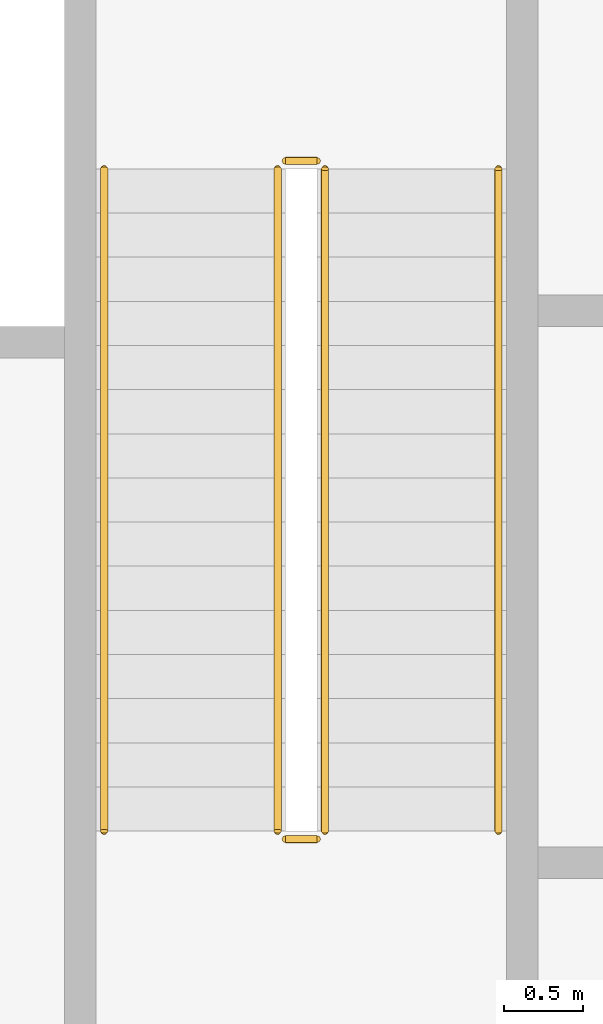
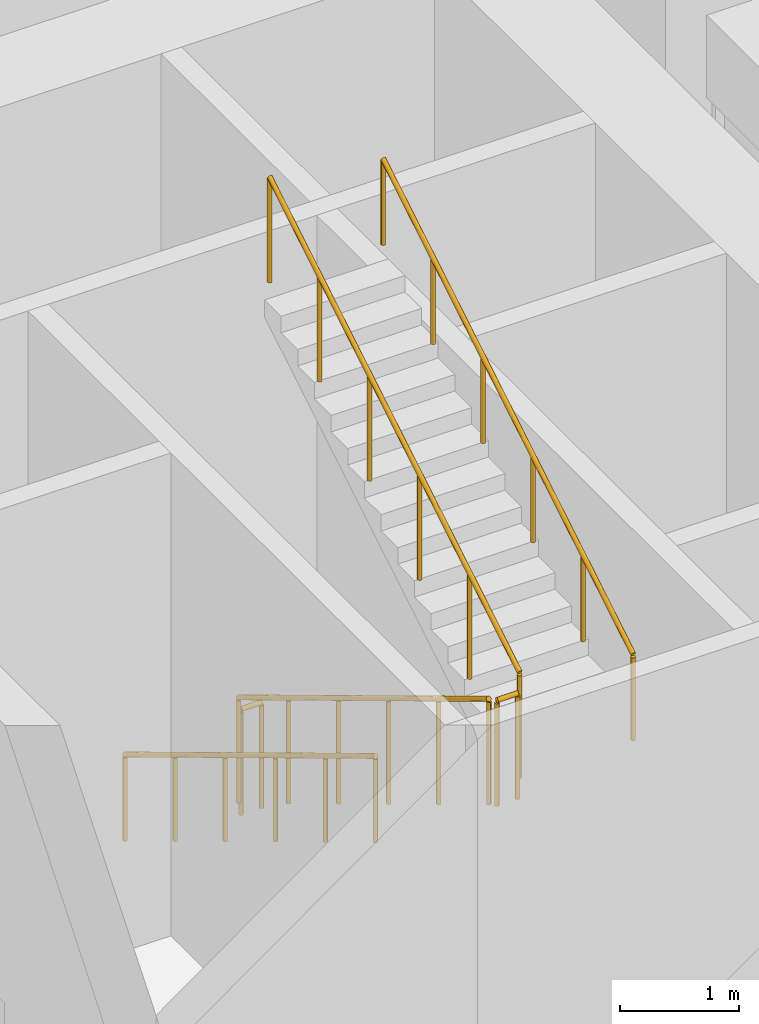
# One storey, part 26 of 27: 6 railings.
"""IFC4 building model written with IfcOpenShell, lengths in metres."""

from ifc_helpers import new_model, si_unit, direction, frame, origin, origin_2d, place, context, subcontext, project, spatial, circle, extrude, material, type_object, element, save


model = new_model("IFC4")

# Units and contexts
model_context = context("Model", 3, precision=1e-05, world=origin(), true_north=direction((0.0, 1.0)))
body_context = subcontext(model_context, "Body", "Model", "MODEL_VIEW")
ifc_project = project(units=[si_unit("LENGTHUNIT", "METRE"), si_unit("AREAUNIT", "SQUARE_METRE"), si_unit("VOLUMEUNIT", "CUBIC_METRE"), si_unit("PLANEANGLEUNIT", "RADIAN"), si_unit("MASSUNIT", "GRAM", prefix="KILO")], contexts=[model_context])

# Site, building, storey
site_placement = place(None, origin())
site = spatial("IfcSite", under=ifc_project, at=site_placement, CompositionType="ELEMENT")
building_placement = place(site_placement, origin())
building = spatial("IfcBuilding", under=site, at=building_placement, Name="Kiln Ring Residences", CompositionType="ELEMENT")
storey_placement = place(building_placement, frame((0.0, 0.0, 72.5)))
storey = spatial("IfcBuildingStorey", under=building, at=storey_placement, Name="L18", CompositionType="ELEMENT", Elevation=72.5)

# Railings
ifc_material_1 = material(Name="Stainless steel", Category="steel")
railing_type_1 = type_object("IfcRailingType", Name="CORE-STAIR-GUARD", PredefinedType="GUARDRAIL", material=ifc_material_1)
railing_1_placement = place(storey_placement, frame((21.949951171875, 8.39990234375, 0.168701171875)))
element("IfcRailing", 1, at=railing_1_placement, inside=storey, type_object=railing_type_1, Name="L18 E-STN stair guard 1", PredefinedType="GUARDRAIL", context=body_context, shape_type="SweptSolid", body=[
    extrude(circle(Radius=0.02392578125, at=origin_2d()), frame((0.0, 0.0, 1.076171875), z_axis=(0.0, -0.856476492594, 0.516186030065), x_axis=(1.0, 0.0, 0.0)), (0.0, 0.0, 1.0), 4.90380859375),
    extrude(circle(Radius=0.02099609375, at=origin_2d()), origin(), (0.0, 0.0, 1.0), 1.052001953125),
    extrude(circle(Radius=0.02099609375, at=origin_2d()), frame((0.0, -0.840087890625, 0.50634765625)), (0.0, 0.0, 1.0), 1.052001953125),
    extrude(circle(Radius=0.02099609375, at=origin_2d()), frame((0.0, -1.679931640625, 1.012451171875)), (0.0, 0.0, 1.0), 1.052001953125),
    extrude(circle(Radius=0.02099609375, at=origin_2d()), frame((0.0, -2.52001953125, 1.518798828125)), (0.0, 0.0, 1.0), 1.052001953125),
    extrude(circle(Radius=0.02099609375, at=origin_2d()), frame((0.0, -3.35986328125, 2.02490234375)), (0.0, 0.0, 1.0), 1.052001953125),
    extrude(circle(Radius=0.02099609375, at=origin_2d()), frame((0.0, -4.199951171875, 2.53125)), (0.0, 0.0, 1.0), 1.052001953125),
])
railing_2_placement = place(storey_placement, frame((22.0, 4.14990234375, 2.699951171875)))
element("IfcRailing", 2, at=railing_2_placement, inside=storey, type_object=railing_type_1, Name="L18 E-STN stair guard 2", PredefinedType="GUARDRAIL", context=body_context, shape_type="SweptSolid", body=[
    extrude(circle(Radius=0.02392578125, at=origin_2d()), frame((0.0, 0.0, 1.076171875), z_axis=(1.0, 0.0, 0.0), x_axis=(0.0, 1.0, 0.0)), (0.0, 0.0, 1.0), 0.199951171875),
    extrude(circle(Radius=0.02099609375, at=origin_2d()), origin(), (0.0, 0.0, 1.0), 1.052001953125),
    extrude(circle(Radius=0.02099609375, at=origin_2d()), frame((0.199951171875, 0.0, 0.0)), (0.0, 0.0, 1.0), 1.052001953125),
])
railing_3_placement = place(storey_placement, frame((22.25, 4.199951171875, 2.86865234375)))
element("IfcRailing", 3, at=railing_3_placement, inside=storey, type_object=railing_type_1, Name="L18 E-STN stair guard 3", PredefinedType="GUARDRAIL", context=body_context, shape_type="SweptSolid", body=[
    extrude(circle(Radius=0.02392578125, at=origin_2d()), frame((0.0, 0.0, 1.076171875), z_axis=(0.0, 0.856476492594, 0.516186030065), x_axis=(-1.0, 0.0, 0.0)), (0.0, 0.0, 1.0), 4.90380859375),
    extrude(circle(Radius=0.02099609375, at=origin_2d()), origin(), (0.0, 0.0, 1.0), 1.052001953125),
    extrude(circle(Radius=0.02099609375, at=origin_2d()), frame((0.0, 0.840087890625, 0.50634765625)), (0.0, 0.0, 1.0), 1.052001953125),
    extrude(circle(Radius=0.02099609375, at=origin_2d()), frame((0.0, 1.679931640625, 1.012451171875)), (0.0, 0.0, 1.0), 1.052001953125),
    extrude(circle(Radius=0.02099609375, at=origin_2d()), frame((0.0, 2.52001953125, 1.518798828125)), (0.0, 0.0, 1.0), 1.052001953125),
    extrude(circle(Radius=0.02099609375, at=origin_2d()), frame((0.0, 3.35986328125, 2.02490234375)), (0.0, 0.0, 1.0), 1.052001953125),
    extrude(circle(Radius=0.02099609375, at=origin_2d()), frame((0.0, 4.199951171875, 2.53125)), (0.0, 0.0, 1.0), 1.052001953125),
])
railing_4_placement = place(storey_placement, frame((22.0, 8.449951171875, 0.0)))
element("IfcRailing", 4, at=railing_4_placement, inside=storey, type_object=railing_type_1, Name="L18 E-STN stair guard 4", PredefinedType="GUARDRAIL", context=body_context, shape_type="SweptSolid", body=[
    extrude(circle(Radius=0.02392578125, at=origin_2d()), frame((0.0, 0.0, 1.076171875), z_axis=(1.0, 0.0, 0.0), x_axis=(0.0, 1.0, 0.0)), (0.0, 0.0, 1.0), 0.199951171875),
    extrude(circle(Radius=0.02099609375, at=origin_2d()), origin(), (0.0, 0.0, 1.0), 1.052001953125),
    extrude(circle(Radius=0.02099609375, at=origin_2d()), frame((0.199951171875, 0.0, 0.0)), (0.0, 0.0, 1.0), 1.052001953125),
])
ifc_material_2 = material(Name="Stainless steel", Category="steel")
railing_type_2 = type_object("IfcRailingType", Name="CORE-STAIR-HANDRAIL", PredefinedType="HANDRAIL", material=ifc_material_2)
railing_5_placement = place(storey_placement, frame((20.85009765625, 8.39990234375, 0.168701171875)))
element("IfcRailing", 5, at=railing_5_placement, inside=storey, type_object=railing_type_2, Name="L18 E-STN stair handrail 1", PredefinedType="HANDRAIL", context=body_context, shape_type="SweptSolid", body=[
    extrude(circle(Radius=0.02392578125, at=origin_2d()), frame((0.0, 0.0, 0.8759765625), z_axis=(0.0, -0.856476492594, 0.516186030065), x_axis=(1.0, 0.0, 0.0)), (0.0, 0.0, 1.0), 4.90380859375),
    extrude(circle(Radius=0.02099609375, at=origin_2d()), origin(), (0.0, 0.0, 1.0), 0.851806640625),
    extrude(circle(Radius=0.02099609375, at=origin_2d()), frame((0.0, -0.840087890625, 0.50634765625)), (0.0, 0.0, 1.0), 0.851806640625),
    extrude(circle(Radius=0.02099609375, at=origin_2d()), frame((0.0, -1.679931640625, 1.012451171875)), (0.0, 0.0, 1.0), 0.851806640625),
    extrude(circle(Radius=0.02099609375, at=origin_2d()), frame((0.0, -2.52001953125, 1.518798828125)), (0.0, 0.0, 1.0), 0.851806640625),
    extrude(circle(Radius=0.02099609375, at=origin_2d()), frame((0.0, -3.35986328125, 2.02490234375)), (0.0, 0.0, 1.0), 0.851806640625),
    extrude(circle(Radius=0.02099609375, at=origin_2d()), frame((0.0, -4.199951171875, 2.53125)), (0.0, 0.0, 1.0), 0.851806640625),
])
railing_6_placement = place(storey_placement, frame((23.35009765625, 4.199951171875, 2.86865234375)))
element("IfcRailing", 6, at=railing_6_placement, inside=storey, type_object=railing_type_2, Name="L18 E-STN stair handrail 2", PredefinedType="HANDRAIL", context=body_context, shape_type="SweptSolid", body=[
    extrude(circle(Radius=0.02392578125, at=origin_2d()), frame((0.0, 0.0, 0.8759765625), z_axis=(0.0, 0.856476492594, 0.516186030065), x_axis=(-1.0, 0.0, 0.0)), (0.0, 0.0, 1.0), 4.90380859375),
    extrude(circle(Radius=0.02099609375, at=origin_2d()), origin(), (0.0, 0.0, 1.0), 0.851806640625),
    extrude(circle(Radius=0.02099609375, at=origin_2d()), frame((0.0, 0.840087890625, 0.50634765625)), (0.0, 0.0, 1.0), 0.851806640625),
    extrude(circle(Radius=0.02099609375, at=origin_2d()), frame((0.0, 1.679931640625, 1.012451171875)), (0.0, 0.0, 1.0), 0.851806640625),
    extrude(circle(Radius=0.02099609375, at=origin_2d()), frame((0.0, 2.52001953125, 1.518798828125)), (0.0, 0.0, 1.0), 0.851806640625),
    extrude(circle(Radius=0.02099609375, at=origin_2d()), frame((0.0, 3.35986328125, 2.02490234375)), (0.0, 0.0, 1.0), 0.851806640625),
    extrude(circle(Radius=0.02099609375, at=origin_2d()), frame((0.0, 4.199951171875, 2.53125)), (0.0, 0.0, 1.0), 0.851806640625),
])

save(model, "model.ifc")
